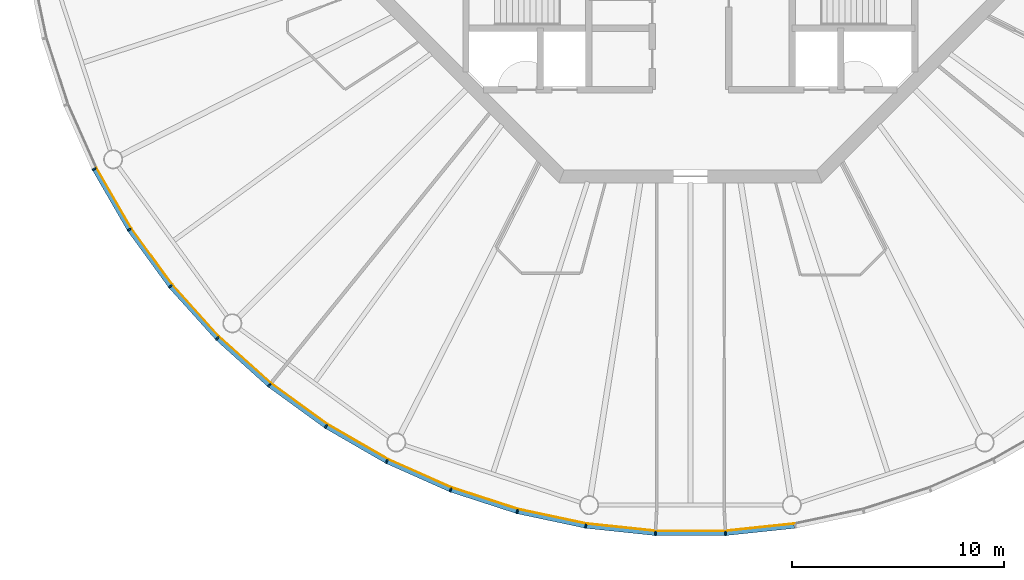
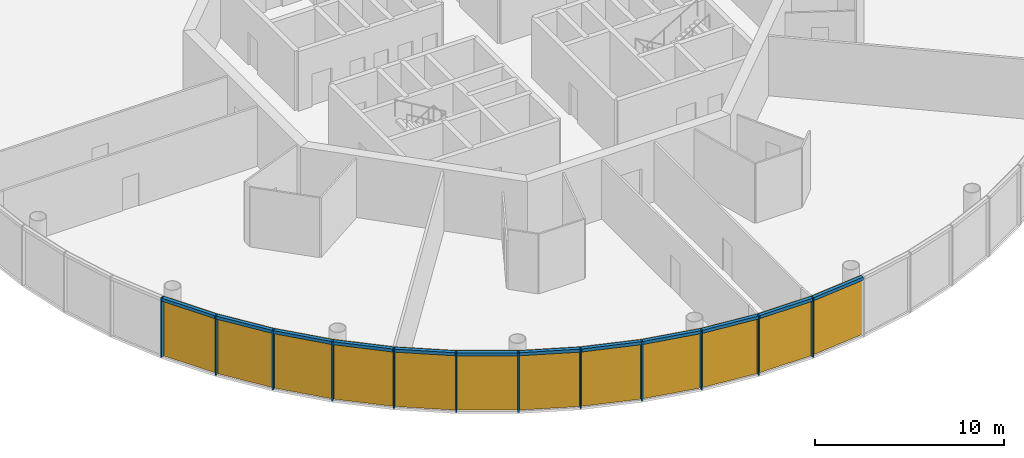
# One storey, part 7 of 13: 24 members, 4 curtain walls.
"""IFC4 building model written with IfcOpenShell, lengths in metres."""

from ifc_helpers import new_model, si_unit, direction, frame, origin, origin_2d, place, context, subcontext, project, spatial, polyline, rectangle, outline, extrude, material, layer, layer_set, material_profile, profile_set, type_object, element, aggregate, save


model = new_model("IFC4")

# Units and contexts
model_context = context("Model", 3, precision=1e-05, world=origin(), true_north=direction((0.0, 1.0)))
body_context = subcontext(model_context, "Body", "Model", "MODEL_VIEW")
ifc_project = project(units=[si_unit("LENGTHUNIT", "METRE"), si_unit("AREAUNIT", "SQUARE_METRE"), si_unit("VOLUMEUNIT", "CUBIC_METRE"), si_unit("PLANEANGLEUNIT", "RADIAN"), si_unit("MASSUNIT", "GRAM", prefix="KILO")], contexts=[model_context])

# Member
ifc_material_1 = material(Name="Anodised aluminium", Category="aluminium")
ifc_material_profile_1 = material_profile(ifc_material_1, rectangle(XDim=0.070068359375, YDim=0.205078125, at=origin_2d()), Name="Mullion 70 x 205 mm anodised aluminium")
ifc_profile_set_1 = profile_set([ifc_material_profile_1], Name="Anodised aluminium")
member_type_1 = type_object("IfcMemberType", Name="Mullion 70 x 205 mm anodised aluminium", PredefinedType="MULLION", material=ifc_profile_set_1)
site_placement = place(None, origin())
building_placement = place(site_placement, origin())
storey_placement = place(building_placement, frame((0.0, 0.0, 360.0)))
member_1_placement = place(storey_placement, frame((61.842041015625, 65.65283203125, 0.0), z_axis=(0.0, 0.0, 1.0), x_axis=(0.45399049974, -0.891006524188, 0.0)))
member_1 = element("IfcMember", 1, at=member_1_placement, type_object=member_type_1, Name="MULLION L83-33", PredefinedType="MULLION", context=body_context, shape_type="SweptSolid", body=[
    extrude(rectangle(XDim=0.070068359375, YDim=0.205078125, at=origin_2d()), origin(), (0.0, 0.0, 1.0), 3.85009765625),
])

member_2_placement = place(storey_placement, frame((63.495849609375, 62.7880859375, 0.0), z_axis=(0.0, 0.0, 1.0), x_axis=(0.544639035015, -0.838670567945, 0.0)))
member_2 = element("IfcMember", 2, at=member_2_placement, type_object=member_type_1, Name="MULLION L83-34", PredefinedType="MULLION", context=body_context, shape_type="SweptSolid", body=[
    extrude(rectangle(XDim=0.070068359375, YDim=0.205078125, at=origin_2d()), origin(), (0.0, 0.0, 1.0), 3.85009765625),
])

member_3_placement = place(storey_placement, frame((65.440185546875, 60.11181640625, 0.0), z_axis=(0.0, 0.0, 1.0), x_axis=(0.62932039105, -0.777145961457, 0.0)))
member_3 = element("IfcMember", 3, at=member_3_placement, type_object=member_type_1, Name="MULLION L83-35", PredefinedType="MULLION", context=body_context, shape_type="SweptSolid", body=[
    extrude(rectangle(XDim=0.070068359375, YDim=0.205078125, at=origin_2d()), origin(), (0.0, 0.0, 1.0), 3.85009765625),
])

member_4_placement = place(storey_placement, frame((67.653564453125, 57.653564453125, 0.0), z_axis=(0.0, 0.0, 1.0), x_axis=(0.707106781187, -0.707106781187, 0.0)))
member_4 = element("IfcMember", 4, at=member_4_placement, type_object=member_type_1, Name="MULLION L83-36", PredefinedType="MULLION", context=body_context, shape_type="SweptSolid", body=[
    extrude(rectangle(XDim=0.070068359375, YDim=0.205078125, at=origin_2d()), origin(), (0.0, 0.0, 1.0), 3.85009765625),
])

member_5_placement = place(storey_placement, frame((70.11181640625, 55.440185546875, 0.0), z_axis=(0.0, 0.0, 1.0), x_axis=(0.777145961457, -0.62932039105, 0.0)))
member_5 = element("IfcMember", 5, at=member_5_placement, type_object=member_type_1, Name="MULLION L83-37", PredefinedType="MULLION", context=body_context, shape_type="SweptSolid", body=[
    extrude(rectangle(XDim=0.070068359375, YDim=0.205078125, at=origin_2d()), origin(), (0.0, 0.0, 1.0), 3.85009765625),
])

member_6_placement = place(storey_placement, frame((72.7880859375, 53.495849609375, 0.0), z_axis=(0.0, 0.0, 1.0), x_axis=(0.838670567945, -0.544639035015, 0.0)))
member_6 = element("IfcMember", 6, at=member_6_placement, type_object=member_type_1, Name="MULLION L83-38", PredefinedType="MULLION", context=body_context, shape_type="SweptSolid", body=[
    extrude(rectangle(XDim=0.070068359375, YDim=0.205078125, at=origin_2d()), origin(), (0.0, 0.0, 1.0), 3.85009765625),
])

member_7_placement = place(storey_placement, frame((75.65283203125, 51.842041015625, 0.0), z_axis=(0.0, 0.0, 1.0), x_axis=(0.891006524188, -0.45399049974, 0.0)))
member_7 = element("IfcMember", 7, at=member_7_placement, type_object=member_type_1, Name="MULLION L83-39", PredefinedType="MULLION", context=body_context, shape_type="SweptSolid", body=[
    extrude(rectangle(XDim=0.070068359375, YDim=0.205078125, at=origin_2d()), origin(), (0.0, 0.0, 1.0), 3.85009765625),
])

member_8_placement = place(storey_placement, frame((78.674560546875, 50.49658203125, 0.0), z_axis=(0.0, 0.0, 1.0), x_axis=(0.933580426497, -0.358367949545, 0.0)))
member_8 = element("IfcMember", 8, at=member_8_placement, type_object=member_type_1, Name="MULLION L83-40", PredefinedType="MULLION", context=body_context, shape_type="SweptSolid", body=[
    extrude(rectangle(XDim=0.070068359375, YDim=0.205078125, at=origin_2d()), origin(), (0.0, 0.0, 1.0), 3.85009765625),
])

member_9_placement = place(storey_placement, frame((81.820556640625, 49.474365234375, 0.0), z_axis=(0.0, 0.0, 1.0), x_axis=(0.965925826289, -0.258819045103, 0.0)))
member_9 = element("IfcMember", 9, at=member_9_placement, type_object=member_type_1, Name="MULLION L83-41", PredefinedType="MULLION", context=body_context, shape_type="SweptSolid", body=[
    extrude(rectangle(XDim=0.070068359375, YDim=0.205078125, at=origin_2d()), origin(), (0.0, 0.0, 1.0), 3.85009765625),
])

member_10_placement = place(storey_placement, frame((85.056396484375, 48.78662109375, 0.0), z_axis=(0.0, 0.0, 1.0), x_axis=(0.987688340595, -0.15643446504, 0.0)))
member_10 = element("IfcMember", 10, at=member_10_placement, type_object=member_type_1, Name="MULLION L83-42", PredefinedType="MULLION", context=body_context, shape_type="SweptSolid", body=[
    extrude(rectangle(XDim=0.070068359375, YDim=0.205078125, at=origin_2d()), origin(), (0.0, 0.0, 1.0), 3.85009765625),
])

member_11_placement = place(storey_placement, frame((88.345947265625, 48.44091796875, 0.0), z_axis=(0.0, 0.0, 1.0), x_axis=(0.998629534755, -0.052335956243, 0.0)))
member_11 = element("IfcMember", 11, at=member_11_placement, type_object=member_type_1, Name="MULLION L83-43", PredefinedType="MULLION", context=body_context, shape_type="SweptSolid", body=[
    extrude(rectangle(XDim=0.070068359375, YDim=0.205078125, at=origin_2d()), origin(), (0.0, 0.0, 1.0), 3.85009765625),
])

member_12_placement = place(storey_placement, frame((91.654052734375, 48.44091796875, 0.0), z_axis=(0.0, 0.0, 1.0), x_axis=(0.998629534755, 0.052335956243, 0.0)))
member_12 = element("IfcMember", 12, at=member_12_placement, type_object=member_type_1, Name="MULLION L83-44", PredefinedType="MULLION", context=body_context, shape_type="SweptSolid", body=[
    extrude(rectangle(XDim=0.070068359375, YDim=0.205078125, at=origin_2d()), origin(), (0.0, 0.0, 1.0), 3.85009765625),
])

ifc_material_2 = material(Name="Anodised aluminium", Category="aluminium")
ifc_material_profile_2 = material_profile(ifc_material_2, rectangle(XDim=0.205078125, YDim=0.195068359375, at=origin_2d()), Name="Transom 195 x 205 mm anodised aluminium")
ifc_profile_set_2 = profile_set([ifc_material_profile_2], Name="Anodised aluminium")
member_type_2 = type_object("IfcMemberType", Name="Transom 195 x 205 mm anodised aluminium", PredefinedType="USERDEFINED", material=ifc_profile_set_2)
member_13_placement = place(storey_placement, frame((61.862060546875, 65.61767578125, 3.75244140625), z_axis=(0.500004055213, -0.866023062494, 0.0), x_axis=(0.866023062494, 0.500004055213, 0.0)))
member_13 = element("IfcMember", 13, at=member_13_placement, type_object=member_type_2, Name="TRANSOM L83-33", ObjectType="TRANSOM", PredefinedType="USERDEFINED", context=body_context, shape_type="SweptSolid", body=[
    extrude(rectangle(XDim=0.205078125, YDim=0.195068359375, at=origin_2d()), origin(), (0.0, 0.0, 1.0), 3.22705078125),
])

member_14_placement = place(storey_placement, frame((63.51953125, 62.75537109375, 3.75244140625), z_axis=(0.587802790201, -0.809004252048, 0.0), x_axis=(0.809004252048, 0.587802790201, 0.0)))
member_14 = element("IfcMember", 14, at=member_14_placement, type_object=member_type_2, Name="TRANSOM L83-34", ObjectType="TRANSOM", PredefinedType="USERDEFINED", context=body_context, shape_type="SweptSolid", body=[
    extrude(rectangle(XDim=0.205078125, YDim=0.195068359375, at=origin_2d()), origin(), (0.0, 0.0, 1.0), 3.227294921875),
])

member_15_placement = place(storey_placement, frame((65.467041015625, 60.081787109375, 3.75244140625), z_axis=(0.669144438484, -0.743132370743, 0.0), x_axis=(0.743132370743, 0.669144438484, 0.0)))
member_15 = element("IfcMember", 15, at=member_15_placement, type_object=member_type_2, Name="TRANSOM L83-35", ObjectType="TRANSOM", PredefinedType="USERDEFINED", context=body_context, shape_type="SweptSolid", body=[
    extrude(rectangle(XDim=0.205078125, YDim=0.195068359375, at=origin_2d()), origin(), (0.0, 0.0, 1.0), 3.22705078125),
])

member_16_placement = place(storey_placement, frame((67.68359375, 57.62646484375, 3.75244140625), z_axis=(0.743132370743, -0.669144438484, 0.0), x_axis=(0.669144438484, 0.743132370743, 0.0)))
member_16 = element("IfcMember", 16, at=member_16_placement, type_object=member_type_2, Name="TRANSOM L83-36", ObjectType="TRANSOM", PredefinedType="USERDEFINED", context=body_context, shape_type="SweptSolid", body=[
    extrude(rectangle(XDim=0.205078125, YDim=0.195068359375, at=origin_2d()), origin(), (0.0, 0.0, 1.0), 3.22705078125),
])

member_17_placement = place(storey_placement, frame((70.14453125, 55.41650390625, 3.75244140625), z_axis=(0.809004252048, -0.587802790201, 0.0), x_axis=(0.587802790201, 0.809004252048, 0.0)))
member_17 = element("IfcMember", 17, at=member_17_placement, type_object=member_type_2, Name="TRANSOM L83-37", ObjectType="TRANSOM", PredefinedType="USERDEFINED", context=body_context, shape_type="SweptSolid", body=[
    extrude(rectangle(XDim=0.205078125, YDim=0.195068359375, at=origin_2d()), origin(), (0.0, 0.0, 1.0), 3.227294921875),
])

member_18_placement = place(storey_placement, frame((72.822998046875, 53.4755859375, 3.75244140625), z_axis=(0.866023062494, -0.500004055213, 0.0), x_axis=(0.500004055213, 0.866023062494, 0.0)))
member_18 = element("IfcMember", 18, at=member_18_placement, type_object=member_type_2, Name="TRANSOM L83-38", ObjectType="TRANSOM", PredefinedType="USERDEFINED", context=body_context, shape_type="SweptSolid", body=[
    extrude(rectangle(XDim=0.205078125, YDim=0.195068359375, at=origin_2d()), origin(), (0.0, 0.0, 1.0), 3.22705078125),
])

member_19_placement = place(storey_placement, frame((75.689697265625, 51.825439453125, 3.75244140625), z_axis=(0.913521178731, -0.406791170024, 0.0), x_axis=(0.406791170024, 0.913521178731, 0.0)))
member_19 = element("IfcMember", 19, at=member_19_placement, type_object=member_type_2, Name="TRANSOM L83-39", ObjectType="TRANSOM", PredefinedType="USERDEFINED", context=body_context, shape_type="SweptSolid", body=[
    extrude(rectangle(XDim=0.205078125, YDim=0.195068359375, at=origin_2d()), origin(), (0.0, 0.0, 1.0), 3.22705078125),
])

member_20_placement = place(storey_placement, frame((78.713134765625, 50.48388671875, 3.75244140625), z_axis=(0.951046855117, -0.309046726844, 0.0), x_axis=(0.309046726844, 0.951046855117, 0.0)))
member_20 = element("IfcMember", 20, at=member_20_placement, type_object=member_type_2, Name="TRANSOM L83-40", ObjectType="TRANSOM", PredefinedType="USERDEFINED", context=body_context, shape_type="SweptSolid", body=[
    extrude(rectangle(XDim=0.205078125, YDim=0.195068359375, at=origin_2d()), origin(), (0.0, 0.0, 1.0), 3.22705078125),
])

member_21_placement = place(storey_placement, frame((81.860107421875, 49.4658203125, 3.75244140625), z_axis=(0.978153082647, -0.207885898771, 0.0), x_axis=(0.207885898771, 0.978153082647, 0.0)))
member_21 = element("IfcMember", 21, at=member_21_placement, type_object=member_type_2, Name="TRANSOM L83-41", ObjectType="TRANSOM", PredefinedType="USERDEFINED", context=body_context, shape_type="SweptSolid", body=[
    extrude(rectangle(XDim=0.205078125, YDim=0.195068359375, at=origin_2d()), origin(), (0.0, 0.0, 1.0), 3.227294921875),
])

member_22_placement = place(storey_placement, frame((85.096435546875, 48.7822265625, 3.75244140625), z_axis=(0.994519537956, -0.104550890115, 0.0), x_axis=(0.104550890115, 0.994519537956, 0.0)))
member_22 = element("IfcMember", 22, at=member_22_placement, type_object=member_type_2, Name="TRANSOM L83-42", ObjectType="TRANSOM", PredefinedType="USERDEFINED", context=body_context, shape_type="SweptSolid", body=[
    extrude(rectangle(XDim=0.205078125, YDim=0.195068359375, at=origin_2d()), origin(), (0.0, 0.0, 1.0), 3.22705078125),
])

member_23_placement = place(storey_placement, frame((88.386474609375, 48.440673828125, 3.75244140625), z_axis=(1.0, 0.0, 0.0), x_axis=(0.0, 1.0, 0.0)))
member_23 = element("IfcMember", 23, at=member_23_placement, type_object=member_type_2, Name="TRANSOM L83-43", ObjectType="TRANSOM", PredefinedType="USERDEFINED", context=body_context, shape_type="SweptSolid", body=[
    extrude(rectangle(XDim=0.205078125, YDim=0.195068359375, at=origin_2d()), origin(), (0.0, 0.0, 1.0), 3.22705078125),
])

member_24_placement = place(storey_placement, frame((91.694091796875, 48.44482421875, 3.75244140625), z_axis=(0.994519537956, 0.104550890115, 0.0), x_axis=(-0.104550890115, 0.994519537956, 0.0)))
member_24 = element("IfcMember", 24, at=member_24_placement, type_object=member_type_2, Name="TRANSOM L83-44", ObjectType="TRANSOM", PredefinedType="USERDEFINED", context=body_context, shape_type="SweptSolid", body=[
    extrude(rectangle(XDim=0.205078125, YDim=0.195068359375, at=origin_2d()), origin(), (0.0, 0.0, 1.0), 3.22705078125),
])

# Site, building, storey
site = spatial("IfcSite", under=ifc_project, at=site_placement, CompositionType="ELEMENT")
building = spatial("IfcBuilding", under=site, at=building_placement, Name="Entoto Ring Tower", CompositionType="ELEMENT")
storey = spatial("IfcBuildingStorey", under=building, at=storey_placement, Name="L83", CompositionType="ELEMENT", Elevation=360.0)

# Curtain wall
ifc_material_3 = material(Name="Clear low-iron glass", Category="glass")
ifc_layer = layer(ifc_material_3, 0.035888671875)
ifc_layer_set = layer_set([ifc_layer], Name="Clear low-iron glass")
curtain_wall_type = type_object("IfcCurtainWallType", Name="Curtain wall system CW6 glazing 36 mm", PredefinedType="NOTDEFINED", material=ifc_layer_set)
curtain_wall_1_placement = place(storey_placement, origin())
curtain_wall_1 = element("IfcCurtainWall", 25, at=curtain_wall_1_placement, inside=storey, type_object=curtain_wall_type, Name="CW6 L83-12", PredefinedType="NOTDEFINED", context=body_context, shape_type="SweptSolid", body=[
    extrude(outline(polyline([(61.933349609375, 65.69921875), (63.581787109375, 62.84375), (65.52001953125, 60.176513671875), (67.72607421875, 57.72607421875), (67.751708984375, 57.751708984375), (65.5478515625, 60.198974609375), (63.612060546875, 62.863525390625), (61.96533203125, 65.715576171875), (61.933349609375, 65.69921875)])), origin(), (0.0, 0.0, 1.0), 3.85009765625),
])

aggregate(curtain_wall_1, [member_1, member_2, member_3, member_13, member_14, member_15])

curtain_wall_2_placement = place(storey_placement, origin())
curtain_wall_2 = element("IfcCurtainWall", 26, at=curtain_wall_2_placement, inside=storey, type_object=curtain_wall_type, Name="CW6 L83-13", PredefinedType="NOTDEFINED", context=body_context, shape_type="SweptSolid", body=[
    extrude(outline(polyline([(67.72607421875, 57.72607421875), (70.176513671875, 55.52001953125), (72.84375, 53.581787109375), (75.69921875, 51.933349609375), (75.715576171875, 51.96533203125), (72.863525390625, 53.612060546875), (70.198974609375, 55.5478515625), (67.751708984375, 57.751708984375), (67.72607421875, 57.72607421875)])), origin(), (0.0, 0.0, 1.0), 3.85009765625),
])

aggregate(curtain_wall_2, [member_4, member_5, member_6, member_16, member_17, member_18])

curtain_wall_3_placement = place(storey_placement, origin())
curtain_wall_3 = element("IfcCurtainWall", 27, at=curtain_wall_3_placement, inside=storey, type_object=curtain_wall_type, Name="CW6 L83-14", PredefinedType="NOTDEFINED", context=body_context, shape_type="SweptSolid", body=[
    extrude(outline(polyline([(75.69921875, 51.933349609375), (78.71142578125, 50.59228515625), (81.84716796875, 49.5732421875), (85.072265625, 48.8876953125), (85.077880859375, 48.92333984375), (81.8564453125, 49.608154296875), (78.724365234375, 50.6259765625), (75.715576171875, 51.96533203125), (75.69921875, 51.933349609375)])), origin(), (0.0, 0.0, 1.0), 3.85009765625),
])

aggregate(curtain_wall_3, [member_7, member_8, member_9, member_19, member_20, member_21])

curtain_wall_4_placement = place(storey_placement, origin())
curtain_wall_4 = element("IfcCurtainWall", 28, at=curtain_wall_4_placement, inside=storey, type_object=curtain_wall_type, Name="CW6 L83-15", PredefinedType="NOTDEFINED", context=body_context, shape_type="SweptSolid", body=[
    extrude(outline(polyline([(85.072265625, 48.8876953125), (88.351318359375, 48.543212890625), (91.648681640625, 48.543212890625), (94.927734375, 48.8876953125), (94.922119140625, 48.92333984375), (91.646728515625, 48.5791015625), (88.353271484375, 48.5791015625), (85.077880859375, 48.92333984375), (85.072265625, 48.8876953125)])), origin(), (0.0, 0.0, 1.0), 3.85009765625),
])

aggregate(curtain_wall_4, [member_10, member_11, member_12, member_22, member_23, member_24])

save(model, "model.ifc")
